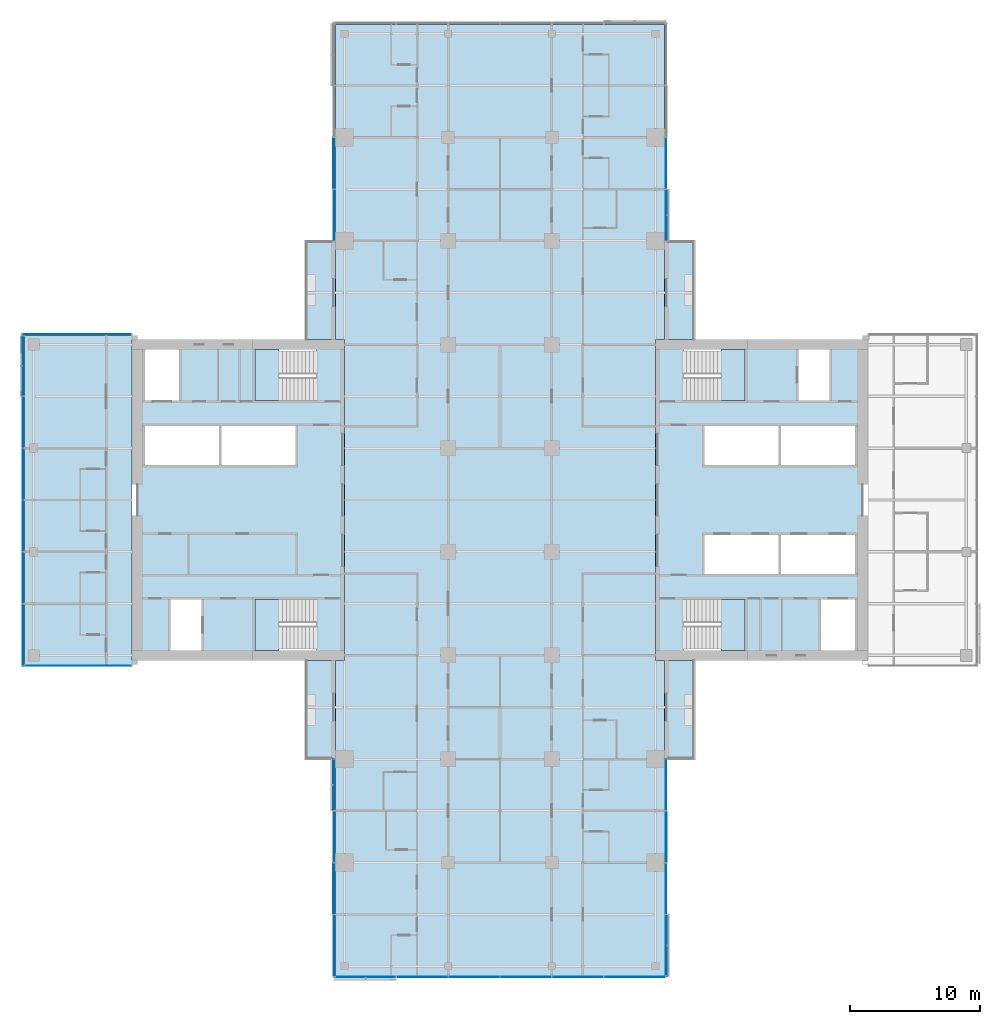
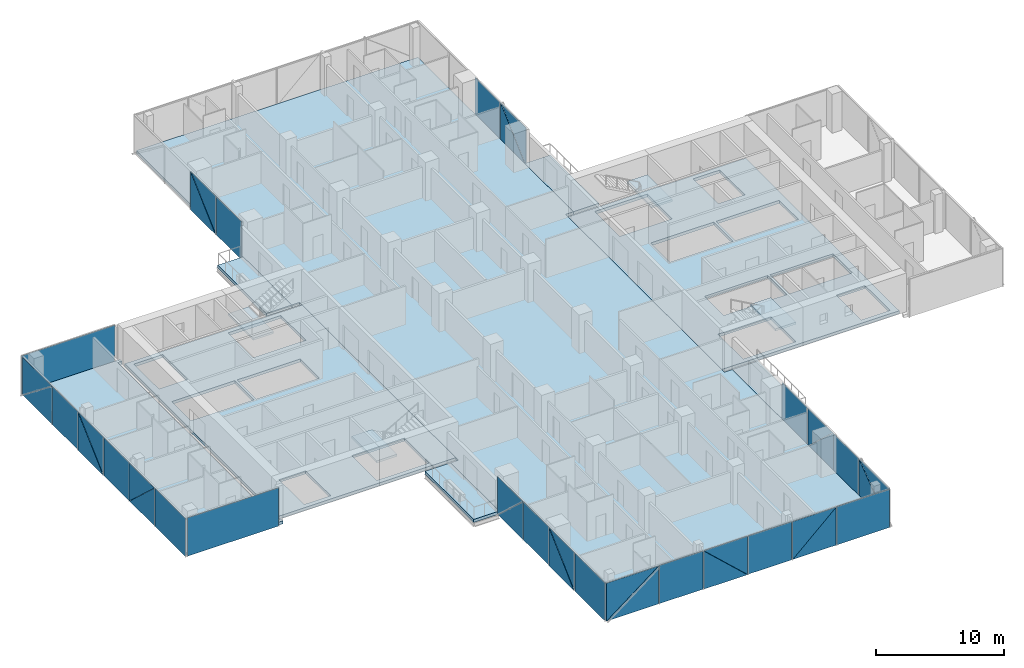
# One storey, part 13 of 27: 38 plates, 12 slabs, 12 elements without a shape of their own.
"""IFC4 building model written with IfcOpenShell, lengths in metres."""

from ifc_helpers import new_model, si_unit, direction, frame, origin, place, context, subcontext, project, spatial, polyline, outline, extrude, material, layer, layer_set, type_object, element, aggregate, save


model = new_model("IFC4")

# Units and contexts
model_context = context("Model", 3, precision=1e-05, world=origin(), true_north=direction((0.0, 1.0)))
body_context = subcontext(model_context, "Body", "Model", "MODEL_VIEW")
ifc_project = project(units=[si_unit("LENGTHUNIT", "METRE"), si_unit("AREAUNIT", "SQUARE_METRE"), si_unit("VOLUMEUNIT", "CUBIC_METRE"), si_unit("PLANEANGLEUNIT", "RADIAN"), si_unit("MASSUNIT", "GRAM", prefix="KILO")], contexts=[model_context])

# Site, building, storey
site_placement = place(None, origin())
site = spatial("IfcSite", under=ifc_project, at=site_placement, CompositionType="ELEMENT")
building_placement = place(site_placement, origin())
building = spatial("IfcBuilding", under=site, at=building_placement, Name="Crosswind Convention Tower", CompositionType="ELEMENT")
storey_placement = place(building_placement, frame((0.0, 0.0, 83.10009765625)))
storey = spatial("IfcBuildingStorey", under=building, at=storey_placement, Name="L15", CompositionType="ELEMENT", Elevation=83.10009765625)

# Slabs
ifc_material_1 = material(Name="Concrete C40/50", Category="concrete")
ifc_layer_1 = layer(ifc_material_1, 0.280029296875)
ifc_layer_set_1 = layer_set([ifc_layer_1], Name="Concrete C40/50")
slab_type_1 = type_object("IfcSlabType", Name="BALCONY SLAB 280", PredefinedType="USERDEFINED", material=ifc_layer_set_1)
slab_1_placement = place(storey_placement, frame((0.0, 0.0, -0.280029296875)))
element("IfcSlab", 1, at=slab_1_placement, inside=storey, type_object=slab_type_1, Name="BALCONY L15 N-E.1-1", ObjectType="BALCONY", PredefinedType="USERDEFINED", context=body_context, shape_type="SweptSolid", body=[
    extrude(outline(polyline([(137.699951171875, 112.39990234375), (137.699951171875, 120.0), (140.0, 120.0), (140.0, 112.39990234375), (137.699951171875, 112.39990234375)])), origin(), (0.0, 0.0, 1.0), 0.280029296875),
])
slab_2_placement = place(storey_placement, frame((0.0, 0.0, -0.280029296875)))
element("IfcSlab", 2, at=slab_2_placement, inside=storey, type_object=slab_type_1, Name="BALCONY L15 N-W.1-3", ObjectType="BALCONY", PredefinedType="USERDEFINED", context=body_context, shape_type="SweptSolid", body=[
    extrude(outline(polyline([(112.300048828125, 120.0), (112.300048828125, 112.39990234375), (110.0, 112.39990234375), (110.0, 120.0), (112.300048828125, 120.0)])), origin(), (0.0, 0.0, 1.0), 0.280029296875),
])
slab_3_placement = place(storey_placement, frame((0.0, 0.0, -0.280029296875)))
element("IfcSlab", 3, at=slab_3_placement, inside=storey, type_object=slab_type_1, Name="BALCONY L15 S-W.1-1", ObjectType="BALCONY", PredefinedType="USERDEFINED", context=body_context, shape_type="SweptSolid", body=[
    extrude(outline(polyline([(112.300048828125, 87.60009765625), (112.300048828125, 80.0), (110.0, 80.0), (110.0, 87.60009765625), (112.300048828125, 87.60009765625)])), origin(), (0.0, 0.0, 1.0), 0.280029296875),
])
slab_4_placement = place(storey_placement, frame((0.0, 0.0, -0.280029296875)))
element("IfcSlab", 4, at=slab_4_placement, inside=storey, type_object=slab_type_1, Name="BALCONY L15 S-E.1-3", ObjectType="BALCONY", PredefinedType="USERDEFINED", context=body_context, shape_type="SweptSolid", body=[
    extrude(outline(polyline([(137.699951171875, 80.0), (137.699951171875, 87.60009765625), (140.0, 87.60009765625), (140.0, 80.0), (137.699951171875, 80.0)])), origin(), (0.0, 0.0, 1.0), 0.280029296875),
])
ifc_layer_2 = layer(ifc_material_1, 0.280029296875)
ifc_layer_set_2 = layer_set([ifc_layer_2], Name="Concrete C40/50")
slab_type_2 = type_object("IfcSlabType", Name="Composite floor slab 280", PredefinedType="FLOOR", material=ifc_layer_set_2)
slab_5_placement = place(storey_placement, frame((0.0, 0.0, -0.280029296875)))
element("IfcSlab", 5, at=slab_5_placement, inside=storey, type_object=slab_type_2, Name="Floor slab L15 part 1", PredefinedType="FLOOR", context=body_context, shape_type="SweptSolid", body=[
    extrude(outline(polyline([(97.0, 87.300048828125), (89.0, 87.300048828125), (88.300048828125, 87.300048828125), (88.300048828125, 88.0), (88.300048828125, 112.0), (88.300048828125, 112.699951171875), (89.0, 112.699951171875), (97.0, 112.699951171875), (97.0, 112.39990234375), (96.60009765625, 112.39990234375), (96.60009765625, 87.60009765625), (97.0, 87.60009765625), (97.0, 87.300048828125)])), origin(), (0.0, 0.0, 1.0), 0.280029296875),
])
slab_6_placement = place(storey_placement, frame((0.0, 0.0, -0.280029296875)))
element("IfcSlab", 6, at=slab_6_placement, inside=storey, type_object=slab_type_2, Name="Floor slab L15 part 2", PredefinedType="FLOOR", context=body_context, shape_type="SweptSolid", body=[
    extrude(outline(polyline([(112.300048828125, 87.60009765625), (113.0, 87.60009765625), (113.0, 112.39990234375), (112.300048828125, 112.39990234375), (112.300048828125, 136.0), (112.300048828125, 136.699951171875), (113.0, 136.699951171875), (137.0, 136.699951171875), (137.699951171875, 136.699951171875), (137.699951171875, 136.0), (137.699951171875, 112.39990234375), (137.0, 112.39990234375), (137.0, 87.60009765625), (137.699951171875, 87.60009765625), (137.699951171875, 64.0), (137.699951171875, 63.300048828125), (137.0, 63.300048828125), (113.0, 63.300048828125), (112.300048828125, 63.300048828125), (112.300048828125, 64.0), (112.300048828125, 87.60009765625)])), origin(), (0.0, 0.0, 1.0), 0.280029296875),
])
ifc_layer_3 = layer(ifc_material_1, 0.280029296875)
ifc_layer_set_3 = layer_set([ifc_layer_3], Name="Concrete C40/50")
slab_type_3 = type_object("IfcSlabType", Name="Concrete core floor slab 280", PredefinedType="FLOOR", material=ifc_layer_set_3)
slab_7_placement = place(storey_placement, frame((0.0, 0.0, -0.280029296875)))
element("IfcSlab", 7, at=slab_7_placement, inside=storey, type_object=slab_type_3, Name="Core floor slab E L15", PredefinedType="FLOOR", context=body_context, shape_type="SweptSolid", body=[
    extrude(outline(polyline([(137.0, 88.0), (153.0, 88.0), (153.0, 112.0), (137.0, 112.0), (137.0, 88.0)]), holes=[polyline([(146.5, 102.699951171875), (146.5, 105.699951171875), (140.800048828125, 105.699951171875), (140.800048828125, 102.699951171875), (146.5, 102.699951171875)]), polyline([(152.39990234375, 102.699951171875), (152.39990234375, 105.699951171875), (146.699951171875, 105.699951171875), (146.699951171875, 102.699951171875), (152.39990234375, 102.699951171875)]), polyline([(146.5, 94.300048828125), (146.5, 97.300048828125), (140.800048828125, 97.300048828125), (140.800048828125, 94.300048828125), (146.5, 94.300048828125)]), polyline([(152.39990234375, 94.300048828125), (152.39990234375, 97.300048828125), (146.699951171875, 97.300048828125), (146.699951171875, 94.300048828125), (152.39990234375, 94.300048828125)]), polyline([(150.449951171875, 107.699951171875), (150.449951171875, 111.60009765625), (148.050048828125, 111.60009765625), (148.050048828125, 107.699951171875), (150.449951171875, 107.699951171875)]), polyline([(152.39990234375, 88.39990234375), (152.39990234375, 92.300048828125), (149.800048828125, 92.300048828125), (149.800048828125, 88.39990234375), (152.39990234375, 88.39990234375)]), polyline([(143.89990234375, 107.699951171875), (143.89990234375, 111.60009765625), (139.14990234375, 111.60009765625), (139.14990234375, 107.699951171875), (143.89990234375, 107.699951171875)]), polyline([(143.89990234375, 88.39990234375), (143.89990234375, 92.300048828125), (139.14990234375, 92.300048828125), (139.14990234375, 88.39990234375), (143.89990234375, 88.39990234375)])]), origin(), (0.0, 0.0, 1.0), 0.280029296875),
])
slab_8_placement = place(storey_placement, frame((0.0, 0.0, -0.280029296875)))
element("IfcSlab", 8, at=slab_8_placement, inside=storey, type_object=slab_type_3, Name="Core floor slab W L15", PredefinedType="FLOOR", context=body_context, shape_type="SweptSolid", body=[
    extrude(outline(polyline([(97.0, 88.0), (113.0, 88.0), (113.0, 112.0), (97.0, 112.0), (97.0, 88.0)]), holes=[polyline([(109.199951171875, 102.699951171875), (109.199951171875, 105.699951171875), (103.5, 105.699951171875), (103.5, 102.699951171875), (109.199951171875, 102.699951171875)]), polyline([(103.300048828125, 102.699951171875), (103.300048828125, 105.699951171875), (97.60009765625, 105.699951171875), (97.60009765625, 102.699951171875), (103.300048828125, 102.699951171875)]), polyline([(101.949951171875, 88.39990234375), (101.949951171875, 92.300048828125), (99.550048828125, 92.300048828125), (99.550048828125, 88.39990234375), (101.949951171875, 88.39990234375)]), polyline([(100.199951171875, 107.699951171875), (100.199951171875, 111.60009765625), (97.60009765625, 111.60009765625), (97.60009765625, 107.699951171875), (100.199951171875, 107.699951171875)]), polyline([(110.85009765625, 88.39990234375), (110.85009765625, 92.300048828125), (106.10009765625, 92.300048828125), (106.10009765625, 88.39990234375), (110.85009765625, 88.39990234375)]), polyline([(110.85009765625, 107.699951171875), (110.85009765625, 111.60009765625), (106.10009765625, 111.60009765625), (106.10009765625, 107.699951171875), (110.85009765625, 107.699951171875)])]), origin(), (0.0, 0.0, 1.0), 0.280029296875),
])

# Stair, slab
stair_type = type_object("IfcStairType", Name="Exit stair 1800 wide, 2 flights of 11 risers", PredefinedType="HALF_TURN_STAIR", material=ifc_material_1)
stair_1_placement = place(storey_placement, origin())
stair_1 = element("IfcStair", 9, at=stair_1_placement, inside=storey, type_object=stair_type, Name="Exit stair ST1 L15", ObjectType="ST5", PredefinedType="HALF_TURN_STAIR")
ifc_layer_4 = layer(ifc_material_1, 0.199951171875)
ifc_layer_set_4 = layer_set([ifc_layer_4], Name="Concrete C40/50")
slab_type_4 = type_object("IfcSlabType", Name="Stair landing 200", PredefinedType="LANDING", material=ifc_layer_set_4)
slab_9_placement = place(storey_placement, frame((0.0, 0.0, 1.64990234375)))
slab_9 = element("IfcSlab", 10, at=slab_9_placement, type_object=slab_type_4, Name="ST1 landing 1", PredefinedType="LANDING", context=body_context, shape_type="SweptSolid", body=[
    extrude(outline(polyline([(143.89990234375, 107.699951171875), (143.89990234375, 111.60009765625), (142.050048828125, 111.60009765625), (142.050048828125, 107.699951171875), (143.89990234375, 107.699951171875)])), origin(), (0.0, 0.0, 1.0), 0.199951171875),
])
aggregate(stair_1, [slab_9])

stair_2_placement = place(storey_placement, origin())
stair_2 = element("IfcStair", 11, at=stair_2_placement, inside=storey, type_object=stair_type, Name="Exit stair ST2 L15", ObjectType="ST5", PredefinedType="HALF_TURN_STAIR")
slab_10_placement = place(storey_placement, frame((0.0, 0.0, 1.64990234375)))
slab_10 = element("IfcSlab", 12, at=slab_10_placement, type_object=slab_type_4, Name="ST2 landing 1", PredefinedType="LANDING", context=body_context, shape_type="SweptSolid", body=[
    extrude(outline(polyline([(143.89990234375, 88.39990234375), (143.89990234375, 92.300048828125), (142.050048828125, 92.300048828125), (142.050048828125, 88.39990234375), (143.89990234375, 88.39990234375)])), origin(), (0.0, 0.0, 1.0), 0.199951171875),
])
aggregate(stair_2, [slab_10])

stair_3_placement = place(storey_placement, origin())
stair_3 = element("IfcStair", 13, at=stair_3_placement, inside=storey, type_object=stair_type, Name="Exit stair ST3 L15", ObjectType="ST5", PredefinedType="HALF_TURN_STAIR")
slab_11_placement = place(storey_placement, frame((0.0, 0.0, 1.64990234375)))
slab_11 = element("IfcSlab", 14, at=slab_11_placement, type_object=slab_type_4, Name="ST3 landing 1", PredefinedType="LANDING", context=body_context, shape_type="SweptSolid", body=[
    extrude(outline(polyline([(107.949951171875, 88.39990234375), (107.949951171875, 92.300048828125), (106.10009765625, 92.300048828125), (106.10009765625, 88.39990234375), (107.949951171875, 88.39990234375)])), origin(), (0.0, 0.0, 1.0), 0.199951171875),
])
aggregate(stair_3, [slab_11])

stair_4_placement = place(storey_placement, origin())
stair_4 = element("IfcStair", 15, at=stair_4_placement, inside=storey, type_object=stair_type, Name="Exit stair ST4 L15", ObjectType="ST5", PredefinedType="HALF_TURN_STAIR")
slab_12_placement = place(storey_placement, frame((0.0, 0.0, 1.64990234375)))
slab_12 = element("IfcSlab", 16, at=slab_12_placement, type_object=slab_type_4, Name="ST4 landing 1", PredefinedType="LANDING", context=body_context, shape_type="SweptSolid", body=[
    extrude(outline(polyline([(107.949951171875, 107.699951171875), (107.949951171875, 111.60009765625), (106.10009765625, 111.60009765625), (106.10009765625, 107.699951171875), (107.949951171875, 107.699951171875)])), origin(), (0.0, 0.0, 1.0), 0.199951171875),
])
aggregate(stair_4, [slab_12])

# Curtain wall, plate
ifc_material_2 = material(Name="Aluminium unitised curtain wall", Category="aluminium")
curtain_wall_type_1 = type_object("IfcCurtainWallType", Name="CORE END SLOT WALL 160", PredefinedType="USERDEFINED", material=ifc_material_2)
curtain_wall_1_placement = place(storey_placement, origin())
curtain_wall_1 = element("IfcCurtainWall", 17, at=curtain_wall_1_placement, inside=storey, type_object=curtain_wall_type_1, Name="CW6 L15 W-N.2-1 slot", ObjectType="UNITISED", PredefinedType="USERDEFINED")
ifc_material_3 = material(Name="Laminated insulating glass unit", Category="glass")
ifc_layer_5 = layer(ifc_material_3, 0.02587890625)
ifc_layer_set_5 = layer_set([ifc_layer_5], Name="TRIANGULAR GLASS PANEL 26")
plate_type_1 = type_object("IfcPlateType", Name="TRIANGULAR GLASS PANEL 26", PredefinedType="CURTAIN_PANEL", material=ifc_layer_set_5)
plate_1_placement = place(storey_placement, frame((96.550048828125, 112.806640625, -0.280029296875), z_axis=(0.0, 0.999999919464, 0.00040133776), x_axis=(-1.0, 0.0, 0.0)))
plate_1 = element("IfcPlate", 18, at=plate_1_placement, type_object=plate_type_1, Name="CW6 panel 1.1", PredefinedType="CURTAIN_PANEL", context=body_context, shape_type="SweptSolid", body=[
    extrude(outline(polyline([(0.0, 0.0), (8.400146484375, 0.0), (8.400146484375, 3.649902637698567), (0.0, 3.649902637698567), (0.0, 0.0)])), origin(), (0.0, 0.0, -1.0), 0.02587890625),
])
aggregate(curtain_wall_1, [plate_1])

curtain_wall_2_placement = place(storey_placement, origin())
curtain_wall_2 = element("IfcCurtainWall", 19, at=curtain_wall_2_placement, inside=storey, type_object=curtain_wall_type_1, Name="CW6 L15 W-S.1-1 slot", ObjectType="UNITISED", PredefinedType="USERDEFINED")
plate_2_placement = place(storey_placement, frame((88.35009765625, 87.193359375, -0.280029296875), z_axis=(0.0, -0.999999919464, 0.00040133776), x_axis=(1.0, 0.0, 0.0)))
plate_2 = element("IfcPlate", 20, at=plate_2_placement, type_object=plate_type_1, Name="CW6 panel 1.1", PredefinedType="CURTAIN_PANEL", context=body_context, shape_type="SweptSolid", body=[
    extrude(outline(polyline([(0.0, 0.0), (8.199951171875, 0.0), (8.199951171875, 3.6499026376985664), (0.0, 3.6499026376985664), (0.0, 0.0)])), origin(), (0.0, 0.0, -1.0), 0.02587890625),
])
aggregate(curtain_wall_2, [plate_2])

# Curtain wall, plates
curtain_wall_type_2 = type_object("IfcCurtainWallType", Name="HOTEL UNITISED WALL 200", PredefinedType="USERDEFINED", material=ifc_material_2)
curtain_wall_3_placement = place(storey_placement, origin())
curtain_wall_3 = element("IfcCurtainWall", 21, at=curtain_wall_3_placement, inside=storey, type_object=curtain_wall_type_2, Name="CW2 L15 N-E 1", ObjectType="UNITISED", PredefinedType="USERDEFINED")
ifc_layer_6 = layer(ifc_material_3, 0.028076171875)
ifc_layer_set_6 = layer_set([ifc_layer_6], Name="TRIANGULAR GLASS PANEL 28")
plate_type_2 = type_object("IfcPlateType", Name="TRIANGULAR GLASS PANEL 28", PredefinedType="CURTAIN_PANEL", material=ifc_layer_set_6)
plate_3_placement = place(storey_placement, frame((137.82861328125, 123.967529296875, -0.280029296875), z_axis=(0.999999943186, 0.0, 0.000337086208), x_axis=(-0.000337086208, 0.0, 0.999999943186)))
plate_3 = element("IfcPlate", 22, at=plate_3_placement, type_object=plate_type_2, Name="CW2 panel 1.1", PredefinedType="CURTAIN_PANEL", context=body_context, shape_type="SweptSolid", body=[
    extrude(outline(polyline([(0.0, 0.0), (3.6213380963660997, 0.0), (0.0, 3.920410156250001), (0.0, 0.0)])), origin(), (0.0, 0.0, -1.0), 0.028076171875),
])
plate_4_placement = place(storey_placement, frame((137.857177734375, 120.032470703125, 3.35498046875), z_axis=(0.9999999182, 0.0, 0.00040447617), x_axis=(0.00040447617, 0.0, -0.9999999182)))
plate_4 = element("IfcPlate", 23, at=plate_4_placement, type_object=plate_type_2, Name="CW2 panel 1.2", PredefinedType="CURTAIN_PANEL", context=body_context, shape_type="SweptSolid", body=[
    extrude(outline(polyline([(0.0, 0.0), (3.621582327497207, 0.0), (0.0, 3.92041015625), (0.0, 0.0)])), origin(), (0.0, 0.0, -1.0), 0.028076171875),
])
plate_5_placement = place(storey_placement, frame((137.82861328125, 124.032470703125, -0.280029296875), z_axis=(0.999999943613, 0.0, 0.00033581837), x_axis=(0.0, 1.0, 0.0)))
plate_5 = element("IfcPlate", 24, at=plate_5_placement, type_object=plate_type_2, Name="CW2 panel 2.1", PredefinedType="CURTAIN_PANEL", context=body_context, shape_type="SweptSolid", body=[
    extrude(outline(polyline([(0.0, 0.0), (3.93505859375, 0.0), (3.93505859375, 3.635009970592273), (0.0, 3.635009970592273), (0.0, 0.0)])), origin(), (0.0, 0.0, -1.0), 0.028076171875),
])
aggregate(curtain_wall_3, [plate_3, plate_4, plate_5])

curtain_wall_4_placement = place(storey_placement, origin())
curtain_wall_4 = element("IfcCurtainWall", 25, at=curtain_wall_4_placement, inside=storey, type_object=curtain_wall_type_2, Name="CW2 L15 N-W 1", ObjectType="UNITISED", PredefinedType="USERDEFINED")
plate_6_placement = place(storey_placement, frame((112.172607421875, 124.032470703125, 3.35498046875), z_axis=(-0.999999943194, 0.0, 0.000337063484), x_axis=(0.0, 1.0, 0.0)))
plate_6 = element("IfcPlate", 26, at=plate_6_placement, type_object=plate_type_2, Name="CW2 panel 3.1", PredefinedType="CURTAIN_PANEL", context=body_context, shape_type="SweptSolid", body=[
    extrude(outline(polyline([(0.0, 0.0), (3.92041015625, 0.0), (0.0, 3.62158223697723), (0.0, 0.0)])), origin(), (0.0, 0.0, -1.0), 0.028076171875),
])
plate_7_placement = place(storey_placement, frame((112.141357421875, 127.967529296875, -0.280029296875), z_axis=(-0.999999918188, 0.0, 0.000404503439), x_axis=(0.0, -1.0, 0.0)))
plate_7 = element("IfcPlate", 27, at=plate_7_placement, type_object=plate_type_2, Name="CW2 panel 3.2", PredefinedType="CURTAIN_PANEL", context=body_context, shape_type="SweptSolid", body=[
    extrude(outline(polyline([(0.0, 0.0), (3.92041015625, 0.0), (0.0, 3.6213381868921792), (0.0, 0.0)])), origin(), (0.0, 0.0, -1.0), 0.028076171875),
])
plate_8_placement = place(storey_placement, frame((112.17138671875, 123.967529296875, -0.280029296875), z_axis=(-0.999999943613, 0.0, 0.00033581837), x_axis=(0.0, -1.0, 0.0)))
plate_8 = element("IfcPlate", 28, at=plate_8_placement, type_object=plate_type_2, Name="CW2 panel 4.1", PredefinedType="CURTAIN_PANEL", context=body_context, shape_type="SweptSolid", body=[
    extrude(outline(polyline([(0.0, 0.0), (3.93505859375, 0.0), (3.93505859375, 3.635009970592273), (0.0, 3.635009970592273), (0.0, 0.0)])), origin(), (0.0, 0.0, -1.0), 0.028076171875),
])
aggregate(curtain_wall_4, [plate_6, plate_7, plate_8])

curtain_wall_5_placement = place(storey_placement, origin())
curtain_wall_5 = element("IfcCurtainWall", 29, at=curtain_wall_5_placement, inside=storey, type_object=curtain_wall_type_2, Name="CW2 L15 W-TIP 1", ObjectType="UNITISED", PredefinedType="USERDEFINED")
plate_9_placement = place(storey_placement, frame((88.17138671875, 108.032470703125, -0.280029296875), z_axis=(-0.999999943209, 0.0, 0.000337018045), x_axis=(0.000337018045, 0.0, 0.999999943209)))
plate_9 = element("IfcPlate", 30, at=plate_9_placement, type_object=plate_type_2, Name="CW2 panel 1.1", PredefinedType="CURTAIN_PANEL", context=body_context, shape_type="SweptSolid", body=[
    extrude(outline(polyline([(0.0, 0.0), (3.622070518199496, 0.0), (0.0, 4.58642578125), (0.0, 0.0)])), origin(), (0.0, 0.0, -1.0), 0.028076171875),
])
plate_10_placement = place(storey_placement, frame((88.142822265625, 112.635009765625, 3.35498046875), z_axis=(-0.999999918233, 0.0, 0.000404394386), x_axis=(-0.000404394386, 0.0, -0.999999918233)))
plate_10 = element("IfcPlate", 31, at=plate_10_placement, type_object=plate_type_2, Name="CW2 panel 1.2", PredefinedType="CURTAIN_PANEL", context=body_context, shape_type="SweptSolid", body=[
    extrude(outline(polyline([(0.0, 0.0), (3.6223147493123067, 0.0), (0.0, 4.58642578125), (0.0, 0.0)])), origin(), (0.0, 0.0, -1.0), 0.028076171875),
])
plate_11_placement = place(storey_placement, frame((88.17138671875, 107.967529296875, -0.280029296875), z_axis=(-0.999999943613, 0.0, 0.00033581837), x_axis=(0.0, -1.0, 0.0)))
plate_11 = element("IfcPlate", 32, at=plate_11_placement, type_object=plate_type_2, Name="CW2 panel 2.1", PredefinedType="CURTAIN_PANEL", context=body_context, shape_type="SweptSolid", body=[
    extrude(outline(polyline([(0.0, 0.0), (3.93505859375, 0.0), (3.93505859375, 3.635009970592273), (0.0, 3.635009970592273), (0.0, 0.0)])), origin(), (0.0, 0.0, -1.0), 0.028076171875),
])
plate_12_placement = place(storey_placement, frame((88.172607421875, 100.032470703125, 3.35498046875), z_axis=(-0.999999943194, 0.0, 0.000337063484), x_axis=(0.0, 1.0, 0.0)))
plate_12 = element("IfcPlate", 33, at=plate_12_placement, type_object=plate_type_2, Name="CW2 panel 3.1", PredefinedType="CURTAIN_PANEL", context=body_context, shape_type="SweptSolid", body=[
    extrude(outline(polyline([(0.0, 0.0), (3.92041015625, 0.0), (0.0, 3.62158223697723), (0.0, 0.0)])), origin(), (0.0, 0.0, -1.0), 0.028076171875),
])
plate_13_placement = place(storey_placement, frame((88.141357421875, 103.967529296875, -0.280029296875), z_axis=(-0.999999918188, 0.0, 0.000404503439), x_axis=(0.0, -1.0, 0.0)))
plate_13 = element("IfcPlate", 34, at=plate_13_placement, type_object=plate_type_2, Name="CW2 panel 3.2", PredefinedType="CURTAIN_PANEL", context=body_context, shape_type="SweptSolid", body=[
    extrude(outline(polyline([(0.0, 0.0), (3.92041015625, 0.0), (0.0, 3.6213381868921792), (0.0, 0.0)])), origin(), (0.0, 0.0, -1.0), 0.028076171875),
])
plate_14_placement = place(storey_placement, frame((88.17138671875, 99.967529296875, -0.280029296875), z_axis=(-0.999999943613, 0.0, 0.00033581837), x_axis=(0.0, -1.0, 0.0)))
plate_14 = element("IfcPlate", 35, at=plate_14_placement, type_object=plate_type_2, Name="CW2 panel 4.1", PredefinedType="CURTAIN_PANEL", context=body_context, shape_type="SweptSolid", body=[
    extrude(outline(polyline([(0.0, 0.0), (3.93505859375, 0.0), (3.93505859375, 3.635009970592273), (0.0, 3.635009970592273), (0.0, 0.0)])), origin(), (0.0, 0.0, -1.0), 0.028076171875),
])
plate_15_placement = place(storey_placement, frame((88.17138671875, 92.032470703125, -0.280029296875), z_axis=(-0.999999943186, 0.0, 0.000337086208), x_axis=(0.000337086208, 0.0, 0.999999943186)))
plate_15 = element("IfcPlate", 36, at=plate_15_placement, type_object=plate_type_2, Name="CW2 panel 5.1", PredefinedType="CURTAIN_PANEL", context=body_context, shape_type="SweptSolid", body=[
    extrude(outline(polyline([(0.0, 0.0), (3.6213380963660997, 0.0), (0.0, 3.920410156250001), (0.0, 0.0)])), origin(), (0.0, 0.0, -1.0), 0.028076171875),
])
plate_16_placement = place(storey_placement, frame((88.142822265625, 95.967529296875, 3.35498046875), z_axis=(-0.9999999182, 0.0, 0.00040447617), x_axis=(-0.00040447617, 0.0, -0.9999999182)))
plate_16 = element("IfcPlate", 37, at=plate_16_placement, type_object=plate_type_2, Name="CW2 panel 5.2", PredefinedType="CURTAIN_PANEL", context=body_context, shape_type="SweptSolid", body=[
    extrude(outline(polyline([(0.0, 0.0), (3.621582327497207, 0.0), (0.0, 3.92041015625), (0.0, 0.0)])), origin(), (0.0, 0.0, -1.0), 0.028076171875),
])
plate_17_placement = place(storey_placement, frame((88.17138671875, 91.967529296875, -0.280029296875), z_axis=(-0.999999943613, 0.0, 0.00033581837), x_axis=(0.0, -1.0, 0.0)))
plate_17 = element("IfcPlate", 38, at=plate_17_placement, type_object=plate_type_2, Name="CW2 panel 6.1", PredefinedType="CURTAIN_PANEL", context=body_context, shape_type="SweptSolid", body=[
    extrude(outline(polyline([(0.0, 0.0), (4.762451171875, 0.0), (4.762451171875, 3.635009970592273), (0.0, 3.635009970592273), (0.0, 0.0)])), origin(), (0.0, 0.0, -1.0), 0.028076171875),
])
aggregate(curtain_wall_5, [plate_9, plate_10, plate_11, plate_12, plate_13, plate_14, plate_15, plate_16, plate_17])

curtain_wall_6_placement = place(storey_placement, origin())
curtain_wall_6 = element("IfcCurtainWall", 39, at=curtain_wall_6_placement, inside=storey, type_object=curtain_wall_type_2, Name="CW2 L15 S-W 1", ObjectType="UNITISED", PredefinedType="USERDEFINED")
plate_18_placement = place(storey_placement, frame((112.17138671875, 76.032470703125, -0.280029296875), z_axis=(-0.999999943186, 0.0, 0.000337086208), x_axis=(0.000337086208, 0.0, 0.999999943186)))
plate_18 = element("IfcPlate", 40, at=plate_18_placement, type_object=plate_type_2, Name="CW2 panel 1.1", PredefinedType="CURTAIN_PANEL", context=body_context, shape_type="SweptSolid", body=[
    extrude(outline(polyline([(0.0, 0.0), (3.6213380963660997, 0.0), (0.0, 3.920410156250001), (0.0, 0.0)])), origin(), (0.0, 0.0, -1.0), 0.028076171875),
])
plate_19_placement = place(storey_placement, frame((112.142822265625, 79.967529296875, 3.35498046875), z_axis=(-0.9999999182, 0.0, 0.00040447617), x_axis=(-0.00040447617, 0.0, -0.9999999182)))
plate_19 = element("IfcPlate", 41, at=plate_19_placement, type_object=plate_type_2, Name="CW2 panel 1.2", PredefinedType="CURTAIN_PANEL", context=body_context, shape_type="SweptSolid", body=[
    extrude(outline(polyline([(0.0, 0.0), (3.621582327497207, 0.0), (0.0, 3.92041015625), (0.0, 0.0)])), origin(), (0.0, 0.0, -1.0), 0.028076171875),
])
plate_20_placement = place(storey_placement, frame((112.17138671875, 75.967529296875, -0.280029296875), z_axis=(-0.999999943613, 0.0, 0.00033581837), x_axis=(0.0, -1.0, 0.0)))
plate_20 = element("IfcPlate", 42, at=plate_20_placement, type_object=plate_type_2, Name="CW2 panel 2.1", PredefinedType="CURTAIN_PANEL", context=body_context, shape_type="SweptSolid", body=[
    extrude(outline(polyline([(0.0, 0.0), (3.93505859375, 0.0), (3.93505859375, 3.635009970592273), (0.0, 3.635009970592273), (0.0, 0.0)])), origin(), (0.0, 0.0, -1.0), 0.028076171875),
])
plate_21_placement = place(storey_placement, frame((112.172607421875, 68.032470703125, 3.35498046875), z_axis=(-0.999999943194, 0.0, 0.000337063484), x_axis=(0.0, 1.0, 0.0)))
plate_21 = element("IfcPlate", 43, at=plate_21_placement, type_object=plate_type_2, Name="CW2 panel 3.1", PredefinedType="CURTAIN_PANEL", context=body_context, shape_type="SweptSolid", body=[
    extrude(outline(polyline([(0.0, 0.0), (3.92041015625, 0.0), (0.0, 3.62158223697723), (0.0, 0.0)])), origin(), (0.0, 0.0, -1.0), 0.028076171875),
])
plate_22_placement = place(storey_placement, frame((112.141357421875, 71.967529296875, -0.280029296875), z_axis=(-0.999999918188, 0.0, 0.000404503439), x_axis=(0.0, -1.0, 0.0)))
plate_22 = element("IfcPlate", 44, at=plate_22_placement, type_object=plate_type_2, Name="CW2 panel 3.2", PredefinedType="CURTAIN_PANEL", context=body_context, shape_type="SweptSolid", body=[
    extrude(outline(polyline([(0.0, 0.0), (3.92041015625, 0.0), (0.0, 3.6213381868921792), (0.0, 0.0)])), origin(), (0.0, 0.0, -1.0), 0.028076171875),
])
plate_23_placement = place(storey_placement, frame((112.17138671875, 67.967529296875, -0.280029296875), z_axis=(-0.999999943613, 0.0, 0.00033581837), x_axis=(0.0, -1.0, 0.0)))
plate_23 = element("IfcPlate", 45, at=plate_23_placement, type_object=plate_type_2, Name="CW2 panel 4.1", PredefinedType="CURTAIN_PANEL", context=body_context, shape_type="SweptSolid", body=[
    extrude(outline(polyline([(0.0, 0.0), (4.735107421875, 0.0), (4.735107421875, 3.6350099705922725), (0.0, 3.6350099705922725), (0.0, 0.0)])), origin(), (0.0, 0.0, -1.0), 0.028076171875),
])
aggregate(curtain_wall_6, [plate_18, plate_19, plate_20, plate_21, plate_22, plate_23])

curtain_wall_7_placement = place(storey_placement, origin())
curtain_wall_7 = element("IfcCurtainWall", 46, at=curtain_wall_7_placement, inside=storey, type_object=curtain_wall_type_2, Name="CW2 L15 S-TIP 1", ObjectType="UNITISED", PredefinedType="USERDEFINED")
plate_24_placement = place(storey_placement, frame((116.967529296875, 63.17138671875, -0.280029296875), z_axis=(0.0, -0.999999943217, 0.00033699533), x_axis=(0.0, 0.00033699533, 0.999999943217)))
plate_24 = element("IfcPlate", 47, at=plate_24_placement, type_object=plate_type_2, Name="CW2 panel 1.1", PredefinedType="CURTAIN_PANEL", context=body_context, shape_type="SweptSolid", body=[
    extrude(outline(polyline([(0.0, 0.0), (3.6223146588106325, 0.0), (0.0, 4.718505859374999), (0.0, 0.0)])), origin(), (0.0, 0.0, -1.0), 0.028076171875),
])
plate_25_placement = place(storey_placement, frame((112.232421875, 63.142822265625, 3.35498046875), z_axis=(0.0, -0.999999918244, 0.000404367132), x_axis=(0.0, -0.000404367132, -0.999999918244)))
plate_25 = element("IfcPlate", 48, at=plate_25_placement, type_object=plate_type_2, Name="CW2 panel 1.2", PredefinedType="CURTAIN_PANEL", context=body_context, shape_type="SweptSolid", body=[
    extrude(outline(polyline([(0.0, 0.0), (3.6225588899173458, 0.0), (0.0, 4.718749999999999), (0.0, 0.0)])), origin(), (0.0, 0.0, -1.0), 0.028076171875),
])
plate_26_placement = place(storey_placement, frame((117.032470703125, 63.17138671875, -0.280029296875), z_axis=(0.0, -0.999999943613, 0.00033581837), x_axis=(1.0, 0.0, 0.0)))
plate_26 = element("IfcPlate", 49, at=plate_26_placement, type_object=plate_type_2, Name="CW2 panel 2.1", PredefinedType="CURTAIN_PANEL", context=body_context, shape_type="SweptSolid", body=[
    extrude(outline(polyline([(0.0, 0.0), (3.93505859375, 0.0), (3.93505859375, 3.635009970592273), (0.0, 3.635009970592273), (0.0, 0.0)])), origin(), (0.0, 0.0, -1.0), 0.028076171875),
])
plate_27_placement = place(storey_placement, frame((124.967529296875, 63.172607421875, 3.35498046875), z_axis=(0.0, -0.999999943194, 0.000337063484), x_axis=(-1.0, 0.0, 0.0)))
plate_27 = element("IfcPlate", 50, at=plate_27_placement, type_object=plate_type_2, Name="CW2 panel 3.1", PredefinedType="CURTAIN_PANEL", context=body_context, shape_type="SweptSolid", body=[
    extrude(outline(polyline([(0.0, 0.0), (3.92041015625, 0.0), (0.0, 3.62158223697723), (0.0, 0.0)])), origin(), (0.0, 0.0, -1.0), 0.028076171875),
])
plate_28_placement = place(storey_placement, frame((121.032470703125, 63.141357421875, -0.280029296875), z_axis=(0.0, -0.999999918188, 0.000404503439), x_axis=(1.0, 0.0, 0.0)))
plate_28 = element("IfcPlate", 51, at=plate_28_placement, type_object=plate_type_2, Name="CW2 panel 3.2", PredefinedType="CURTAIN_PANEL", context=body_context, shape_type="SweptSolid", body=[
    extrude(outline(polyline([(0.0, 0.0), (3.92041015625, 0.0), (0.0, 3.6213381868921792), (0.0, 0.0)])), origin(), (0.0, 0.0, -1.0), 0.028076171875),
])
plate_29_placement = place(storey_placement, frame((125.032470703125, 63.17138671875, -0.280029296875), z_axis=(0.0, -0.999999943613, 0.00033581837), x_axis=(1.0, 0.0, 0.0)))
plate_29 = element("IfcPlate", 52, at=plate_29_placement, type_object=plate_type_2, Name="CW2 panel 4.1", PredefinedType="CURTAIN_PANEL", context=body_context, shape_type="SweptSolid", body=[
    extrude(outline(polyline([(0.0, 0.0), (3.93505859375, 0.0), (3.93505859375, 3.635009970592273), (0.0, 3.635009970592273), (0.0, 0.0)])), origin(), (0.0, 0.0, -1.0), 0.028076171875),
])
plate_30_placement = place(storey_placement, frame((132.967529296875, 63.17138671875, -0.280029296875), z_axis=(0.0, -0.999999943186, 0.000337086208), x_axis=(0.0, 0.000337086208, 0.999999943186)))
plate_30 = element("IfcPlate", 53, at=plate_30_placement, type_object=plate_type_2, Name="CW2 panel 5.1", PredefinedType="CURTAIN_PANEL", context=body_context, shape_type="SweptSolid", body=[
    extrude(outline(polyline([(0.0, 0.0), (3.6213380963660997, 0.0), (0.0, 3.920410156250001), (0.0, 0.0)])), origin(), (0.0, 0.0, -1.0), 0.028076171875),
])
plate_31_placement = place(storey_placement, frame((129.032470703125, 63.142822265625, 3.35498046875), z_axis=(0.0, -0.9999999182, 0.00040447617), x_axis=(0.0, -0.00040447617, -0.9999999182)))
plate_31 = element("IfcPlate", 54, at=plate_31_placement, type_object=plate_type_2, Name="CW2 panel 5.2", PredefinedType="CURTAIN_PANEL", context=body_context, shape_type="SweptSolid", body=[
    extrude(outline(polyline([(0.0, 0.0), (3.621582327497207, 0.0), (0.0, 3.92041015625), (0.0, 0.0)])), origin(), (0.0, 0.0, -1.0), 0.028076171875),
])
plate_32_placement = place(storey_placement, frame((133.032470703125, 63.17138671875, -0.280029296875), z_axis=(0.0, -0.999999943613, 0.00033581837), x_axis=(1.0, 0.0, 0.0)))
plate_32 = element("IfcPlate", 55, at=plate_32_placement, type_object=plate_type_2, Name="CW2 panel 6.1", PredefinedType="CURTAIN_PANEL", context=body_context, shape_type="SweptSolid", body=[
    extrude(outline(polyline([(0.0, 0.0), (4.735107421875, 0.0), (4.735107421875, 3.6350099705922725), (0.0, 3.6350099705922725), (0.0, 0.0)])), origin(), (0.0, 0.0, -1.0), 0.028076171875),
])
aggregate(curtain_wall_7, [plate_24, plate_25, plate_26, plate_27, plate_28, plate_29, plate_30, plate_31, plate_32])

curtain_wall_8_placement = place(storey_placement, origin())
curtain_wall_8 = element("IfcCurtainWall", 56, at=curtain_wall_8_placement, inside=storey, type_object=curtain_wall_type_2, Name="CW2 L15 S-E 1", ObjectType="UNITISED", PredefinedType="USERDEFINED")
plate_33_placement = place(storey_placement, frame((137.82861328125, 67.967529296875, -0.280029296875), z_axis=(0.999999943217, 0.0, 0.00033699533), x_axis=(-0.00033699533, 0.0, 0.999999943217)))
plate_33 = element("IfcPlate", 57, at=plate_33_placement, type_object=plate_type_2, Name="CW2 panel 1.1", PredefinedType="CURTAIN_PANEL", context=body_context, shape_type="SweptSolid", body=[
    extrude(outline(polyline([(0.0, 0.0), (3.6223146588106325, 0.0), (0.0, 4.718505859374999), (0.0, 0.0)])), origin(), (0.0, 0.0, -1.0), 0.028076171875),
])
plate_34_placement = place(storey_placement, frame((137.857177734375, 63.232421875, 3.35498046875), z_axis=(0.999999918244, 0.0, 0.000404367132), x_axis=(0.000404367132, 0.0, -0.999999918244)))
plate_34 = element("IfcPlate", 58, at=plate_34_placement, type_object=plate_type_2, Name="CW2 panel 1.2", PredefinedType="CURTAIN_PANEL", context=body_context, shape_type="SweptSolid", body=[
    extrude(outline(polyline([(0.0, 0.0), (3.6225588899173458, 0.0), (0.0, 4.718749999999999), (0.0, 0.0)])), origin(), (0.0, 0.0, -1.0), 0.028076171875),
])
plate_35_placement = place(storey_placement, frame((137.82861328125, 68.032470703125, -0.280029296875), z_axis=(0.999999943613, 0.0, 0.00033581837), x_axis=(0.0, 1.0, 0.0)))
plate_35 = element("IfcPlate", 59, at=plate_35_placement, type_object=plate_type_2, Name="CW2 panel 2.1", PredefinedType="CURTAIN_PANEL", context=body_context, shape_type="SweptSolid", body=[
    extrude(outline(polyline([(0.0, 0.0), (3.93505859375, 0.0), (3.93505859375, 3.635009970592273), (0.0, 3.635009970592273), (0.0, 0.0)])), origin(), (0.0, 0.0, -1.0), 0.028076171875),
])
plate_36_placement = place(storey_placement, frame((137.827392578125, 75.967529296875, 3.35498046875), z_axis=(0.999999943194, 0.0, 0.000337063484), x_axis=(0.0, -1.0, 0.0)))
plate_36 = element("IfcPlate", 60, at=plate_36_placement, type_object=plate_type_2, Name="CW2 panel 3.1", PredefinedType="CURTAIN_PANEL", context=body_context, shape_type="SweptSolid", body=[
    extrude(outline(polyline([(0.0, 0.0), (3.92041015625, 0.0), (0.0, 3.62158223697723), (0.0, 0.0)])), origin(), (0.0, 0.0, -1.0), 0.028076171875),
])
plate_37_placement = place(storey_placement, frame((137.858642578125, 72.032470703125, -0.280029296875), z_axis=(0.999999918188, 0.0, 0.000404503439), x_axis=(0.0, 1.0, 0.0)))
plate_37 = element("IfcPlate", 61, at=plate_37_placement, type_object=plate_type_2, Name="CW2 panel 3.2", PredefinedType="CURTAIN_PANEL", context=body_context, shape_type="SweptSolid", body=[
    extrude(outline(polyline([(0.0, 0.0), (3.92041015625, 0.0), (0.0, 3.6213381868921792), (0.0, 0.0)])), origin(), (0.0, 0.0, -1.0), 0.028076171875),
])
plate_38_placement = place(storey_placement, frame((137.82861328125, 76.032470703125, -0.280029296875), z_axis=(0.999999943613, 0.0, 0.00033581837), x_axis=(0.0, 1.0, 0.0)))
plate_38 = element("IfcPlate", 62, at=plate_38_placement, type_object=plate_type_2, Name="CW2 panel 4.1", PredefinedType="CURTAIN_PANEL", context=body_context, shape_type="SweptSolid", body=[
    extrude(outline(polyline([(0.0, 0.0), (3.93505859375, 0.0), (3.93505859375, 3.635009970592273), (0.0, 3.635009970592273), (0.0, 0.0)])), origin(), (0.0, 0.0, -1.0), 0.028076171875),
])
aggregate(curtain_wall_8, [plate_33, plate_34, plate_35, plate_36, plate_37, plate_38])

save(model, "model.ifc")
